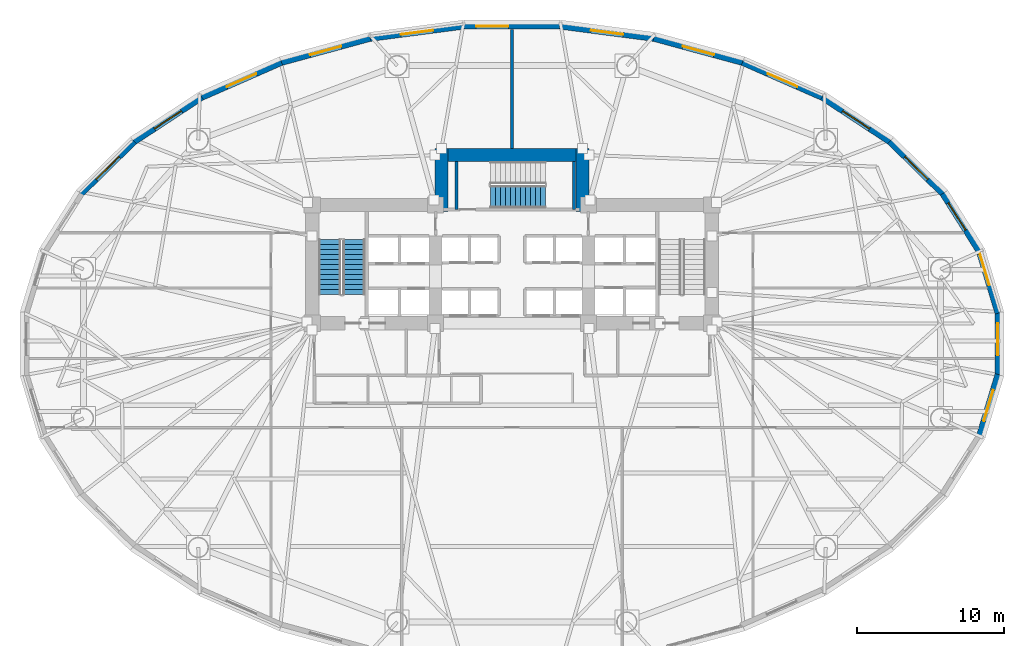
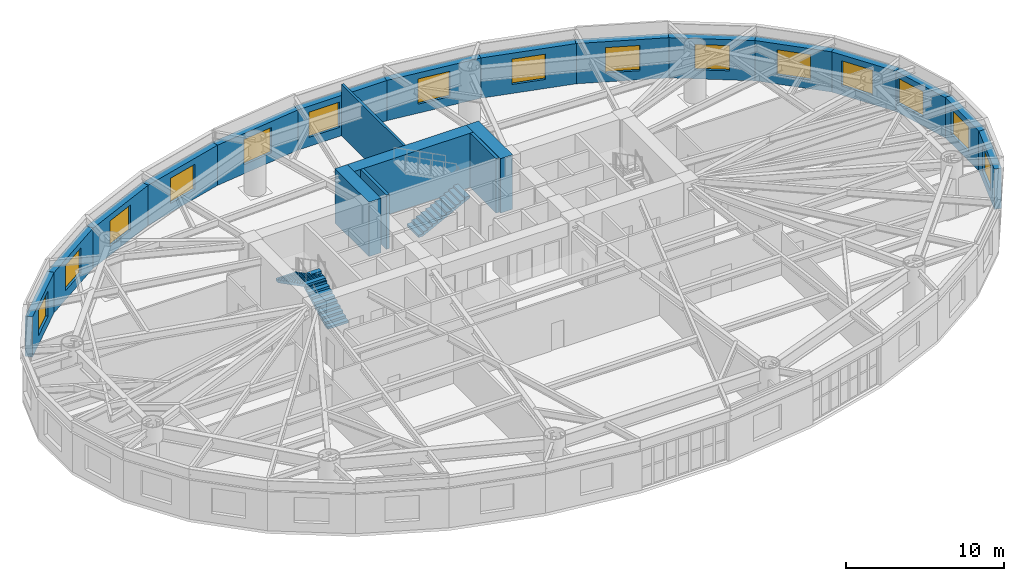
# One storey, part 12 of 18: 21 walls, 15 windows, 3 stair flights, 15 openings, 2 elements without a shape of their own.
"""IFC4 building model written with IfcOpenShell, lengths in metres."""

from ifc_helpers import new_model, si_unit, direction, frame, frame_2d, origin, place, context, subcontext, project, spatial, polyline, rectangle, outline, extrude, material, layer, layer_set, type_object, element, fill, aggregate, save


model = new_model("IFC4")

# Units and contexts
model_context = context("Model", 3, precision=1e-05, world=origin(), true_north=direction((0.0, 1.0)))
body_context = subcontext(model_context, "Body", "Model", "MODEL_VIEW")
ifc_project = project(units=[si_unit("LENGTHUNIT", "METRE"), si_unit("AREAUNIT", "SQUARE_METRE"), si_unit("VOLUMEUNIT", "CUBIC_METRE"), si_unit("PLANEANGLEUNIT", "RADIAN"), si_unit("MASSUNIT", "GRAM", prefix="KILO")], contexts=[model_context])

# Site, building, storey
site_placement = place(None, origin())
site = spatial("IfcSite", under=ifc_project, at=site_placement, CompositionType="ELEMENT")
building_placement = place(site_placement, origin())
building = spatial("IfcBuilding", under=site, at=building_placement, Name="Keldmark Tower", CompositionType="ELEMENT")
storey_placement = place(building_placement, frame((0.0, 0.0, 6.0)))
storey = spatial("IfcBuildingStorey", under=building, at=storey_placement, Name="L01", CompositionType="ELEMENT", Elevation=6.0)

# Walls
ifc_material_1 = material(Name="STC-58 Insulated Tenant Demising Gypsum Partition", Category="gypsum")
ifc_layer_1 = layer(ifc_material_1, 0.175048828125)
ifc_layer_set_1 = layer_set([ifc_layer_1], Name="STC-58 Insulated Tenant Demising Gypsum Partition")
wall_type_1 = type_object("IfcWallType", Name="Demising Suite Partition 175 mm", PredefinedType="PARTITIONING", material=ifc_layer_set_1)
wall_1_placement = place(storey_placement, frame((0.0, 13.300048828125, 0.0), z_axis=(0.0, 0.0, 1.0), x_axis=(0.0, 1.0, 0.0)))
element("IfcWall", 1, at=wall_1_placement, inside=storey, type_object=wall_type_1, Name="L01 Demising Suite Partition 175 mm N-MID-DIV", PredefinedType="PARTITIONING", context=body_context, shape_type="SweptSolid", body=[
    extrude(rectangle(XDim=8.10595703125, YDim=0.175048828125, at=frame_2d((4.052978515625, 0.0))), origin(), (0.0, 0.0, 1.0), 3.97998046875),
])
ifc_material_2 = material(Name="Concrete C70/85", Category="concrete")
ifc_layer_2 = layer(ifc_material_2, 0.89990234375)
ifc_layer_set_2 = layer_set([ifc_layer_2], Name="Concrete C70/85")
wall_type_2 = type_object("IfcWallType", Name="Lower Core Shear Wall 900 mm", PredefinedType="SHEAR", material=ifc_layer_set_2)
wall_2_placement = place(storey_placement, frame((-5.25, 12.85009765625, 0.0), z_axis=(0.0, 0.0, 1.0), x_axis=(1.0, 0.0, 0.0)))
element("IfcWall", 2, at=wall_2_placement, inside=storey, type_object=wall_type_2, Name="L01 North Core Shear Wall", PredefinedType="SHEAR", context=body_context, shape_type="SweptSolid", body=[
    extrude(rectangle(XDim=10.5, YDim=0.89990234375, at=frame_2d((5.25, 0.0))), origin(), (0.0, 0.0, 1.0), 4.199951171875),
])
for number, where, z_axis, x_axis, name in (
    (3, (-4.800048828125, 9.0, 0.0), (0.0, 0.0, 1.0), (0.0, 1.0, 0.0), "L01 North Core West Shear Wall"),
    (4, (4.800048828125, 9.0, 0.0), (0.0, 0.0, 1.0), (0.0, 1.0, 0.0), "L01 North Core East Shear Wall"),
):
    element("IfcWall", number, at=place(storey_placement, frame(where, z_axis=z_axis, x_axis=x_axis)), inside=storey, type_object=wall_type_2, Name=name, PredefinedType="SHEAR", context=body_context, shape_type="SweptSolid", body=[
        extrude(rectangle(XDim=4.300048828125, YDim=0.89990234375, at=frame_2d((2.14990234375, 0.0))), origin(), (0.0, 0.0, 1.0), 4.199951171875),
    ])

# Wall, opening, window
ifc_material_3 = material(Name="Ironspot Manganese Brick and Kasota Buff Limestone Cavity Assembly", Category="masonry")
ifc_layer_3 = layer(ifc_material_3, 0.47998046875)
ifc_layer_set_3 = layer_set([ifc_layer_3], Name="Ironspot Manganese Brick and Kasota Buff Limestone Cavity Assembly")
wall_type_3 = type_object("IfcWallType", Name="Podium Brick and Limestone Cavity Wall 480 mm", PredefinedType="STANDARD", material=ifc_layer_set_3)
wall_3_placement = place(storey_placement, frame((31.827880859375, 6.316650390625, 0.0), z_axis=(0.0, 0.0, 1.0), x_axis=(0.289855603468, -0.957070388811, 0.0)))
wall_3 = element("IfcWall", 5, at=wall_3_placement, inside=storey, type_object=wall_type_3, Name="L01 Exterior Brick and Spandrel Wall 01", PredefinedType="STANDARD", context=body_context, shape_type="SweptSolid", body=[
    extrude(rectangle(XDim=4.41943359375, YDim=0.47998046875, at=frame_2d((2.209716796875, 0.0))), origin(), (0.0, 0.0, 1.0), 3.10888671875),
])
opening_1_placement = place(wall_3_placement, frame((0.199951171875, 0.0, 0.699951171875)))
opening_1 = element("IfcOpeningElement", 6, at=opening_1_placement, cuts=wall_3, Name="Opening W-01", PredefinedType="OPENING", context=body_context, shape_type="SweptSolid", body=[
    extrude(rectangle(XDim=2.199951171875, YDim=1.949951171875, at=frame_2d((1.10009765625, 0.97509765625))), frame((0.0, 0.25, 0.0), z_axis=(0.0, -1.0, 0.0), x_axis=(1.0, 0.0, 0.0)), (0.0, 0.0, 1.0), 0.5),
])
ifc_material_4 = material(Name="Thermally Broken Anodized Aluminum and Triple Low-E Argon Glazing", Category="aluminium")
window_type = type_object("IfcWindowType", Name="Podium Arched-Head Punched Window 2200x1950", PartitioningType="SINGLE_PANEL", PredefinedType="WINDOW", material=ifc_material_4)
window_1_placement = place(opening_1_placement, origin())
window_1 = element("IfcWindow", 7, at=window_1_placement, inside=storey, type_object=window_type, Name="L01 Deep-Set Window 01", OverallHeight=1.949951171875, OverallWidth=2.199951171875, PartitioningType="SINGLE_PANEL", PredefinedType="WINDOW", context=body_context, shape_type="SweptSolid", body=[
    extrude(rectangle(XDim=2.199951171875, YDim=1.949951171875, at=frame_2d((1.10009765625, 0.97509765625))), frame((0.0, -0.010009765625, 0.0), z_axis=(0.0, -1.0, 0.0), x_axis=(1.0, 0.0, 0.0)), (0.0, 0.0, 1.0), 0.06005859375),
])
fill(opening_1, window_1)

wall_4_placement = place(storey_placement, frame((29.34130859375, 10.24267578125, 0.0), z_axis=(0.0, 0.0, 1.0), x_axis=(0.53349762721, -0.845801561693, 0.0)))
wall_4 = element("IfcWall", 8, at=wall_4_placement, inside=storey, type_object=wall_type_3, Name="L01 Exterior Brick and Spandrel Wall 02", PredefinedType="STANDARD", context=body_context, shape_type="SweptSolid", body=[
    extrude(rectangle(XDim=4.710693359375, YDim=0.47998046875, at=frame_2d((2.35546875, 0.0))), origin(), (0.0, 0.0, 1.0), 3.10888671875),
])
opening_2_placement = place(wall_4_placement, frame((0.739990234375, 0.0, 0.699951171875)))
opening_2 = element("IfcOpeningElement", 9, at=opening_2_placement, cuts=wall_4, Name="Opening W-01", PredefinedType="OPENING", context=body_context, shape_type="SweptSolid", body=[
    extrude(rectangle(XDim=2.199951171875, YDim=1.949951171875, at=frame_2d((1.10009765625, 0.97509765625))), frame((0.0, 0.25, 0.0), z_axis=(0.0, -1.0, 0.0), x_axis=(1.0, 0.0, 0.0)), (0.0, 0.0, 1.0), 0.5),
])
window_2_placement = place(opening_2_placement, origin())
window_2 = element("IfcWindow", 10, at=window_2_placement, inside=storey, type_object=window_type, Name="L01 Deep-Set Window 02", OverallHeight=1.949951171875, OverallWidth=2.199951171875, PartitioningType="SINGLE_PANEL", PredefinedType="WINDOW", context=body_context, shape_type="SweptSolid", body=[
    extrude(rectangle(XDim=2.199951171875, YDim=1.949951171875, at=frame_2d((1.10009765625, 0.97509765625))), frame((0.0, -0.010009765625, 0.0), z_axis=(0.0, -1.0, 0.0), x_axis=(1.0, 0.0, 0.0)), (0.0, 0.0, 1.0), 0.06005859375),
])
fill(opening_2, window_2)

wall_5_placement = place(storey_placement, frame((25.727783203125, 13.785400390625, 0.0), z_axis=(0.0, 0.0, 1.0), x_axis=(0.713189080178, -0.700971708355, 0.0)))
wall_5 = element("IfcWall", 11, at=wall_5_placement, inside=storey, type_object=wall_type_3, Name="L01 Exterior Brick and Spandrel Wall 03", PredefinedType="STANDARD", context=body_context, shape_type="SweptSolid", body=[
    extrude(rectangle(XDim=5.11572265625, YDim=0.47998046875, at=frame_2d((2.557861328125, 0.0))), origin(), (0.0, 0.0, 1.0), 3.10888671875),
])
opening_3_placement = place(wall_5_placement, frame((1.4580078125, 0.0, 0.699951171875)))
opening_3 = element("IfcOpeningElement", 12, at=opening_3_placement, cuts=wall_5, Name="Opening W-01", PredefinedType="OPENING", context=body_context, shape_type="SweptSolid", body=[
    extrude(rectangle(XDim=2.199951171875, YDim=1.949951171875, at=frame_2d((1.10009765625, 0.97509765625))), frame((0.0, 0.25, 0.0), z_axis=(0.0, -1.0, 0.0), x_axis=(1.0, 0.0, 0.0)), (0.0, 0.0, 1.0), 0.5),
])
window_3_placement = place(opening_3_placement, origin())
window_3 = element("IfcWindow", 13, at=window_3_placement, inside=storey, type_object=window_type, Name="L01 Deep-Set Window 03", OverallHeight=1.949951171875, OverallWidth=2.199951171875, PartitioningType="SINGLE_PANEL", PredefinedType="WINDOW", context=body_context, shape_type="SweptSolid", body=[
    extrude(rectangle(XDim=2.199951171875, YDim=1.949951171875, at=frame_2d((1.10009765625, 0.97509765625))), frame((0.0, -0.010009765625, 0.0), z_axis=(0.0, -1.0, 0.0), x_axis=(1.0, 0.0, 0.0)), (0.0, 0.0, 1.0), 0.06005859375),
])
fill(opening_3, window_3)

wall_6_placement = place(storey_placement, frame((21.12060546875, 16.8056640625, 0.0), z_axis=(0.0, 0.0, 1.0), x_axis=(0.835863918172, -0.548936708827, 0.0)))
wall_6 = element("IfcWall", 14, at=wall_6_placement, inside=storey, type_object=wall_type_3, Name="L01 Exterior Brick and Spandrel Wall 04", PredefinedType="STANDARD", context=body_context, shape_type="SweptSolid", body=[
    extrude(rectangle(XDim=5.555419921875, YDim=0.47998046875, at=frame_2d((2.77783203125, 0.0))), origin(), (0.0, 0.0, 1.0), 3.10888671875),
])
opening_4_placement = place(wall_6_placement, frame((1.677734375, 0.0, 0.699951171875)))
opening_4 = element("IfcOpeningElement", 15, at=opening_4_placement, cuts=wall_6, Name="Opening W-01", PredefinedType="OPENING", context=body_context, shape_type="SweptSolid", body=[
    extrude(rectangle(XDim=2.199951171875, YDim=1.949951171875, at=frame_2d((1.10009765625, 0.97509765625))), frame((0.0, 0.25, 0.0), z_axis=(0.0, -1.0, 0.0), x_axis=(1.0, 0.0, 0.0)), (0.0, 0.0, 1.0), 0.5),
])
window_4_placement = place(opening_4_placement, origin())
window_4 = element("IfcWindow", 16, at=window_4_placement, inside=storey, type_object=window_type, Name="L01 Deep-Set Window 04", OverallHeight=1.949951171875, OverallWidth=2.199951171875, PartitioningType="SINGLE_PANEL", PredefinedType="WINDOW", context=body_context, shape_type="SweptSolid", body=[
    extrude(rectangle(XDim=2.199951171875, YDim=1.949951171875, at=frame_2d((1.10009765625, 0.97509765625))), frame((0.0, -0.010009765625, 0.0), z_axis=(0.0, -1.0, 0.0), x_axis=(1.0, 0.0, 0.0)), (0.0, 0.0, 1.0), 0.06005859375),
])
fill(opening_4, window_4)

wall_7_placement = place(storey_placement, frame((15.6953125, 19.1826171875, 0.0), z_axis=(0.0, 0.0, 1.0), x_axis=(0.91570760638, -0.401845218484, 0.0)))
wall_7 = element("IfcWall", 17, at=wall_7_placement, inside=storey, type_object=wall_type_3, Name="L01 Exterior Brick and Spandrel Wall 05", PredefinedType="STANDARD", context=body_context, shape_type="SweptSolid", body=[
    extrude(rectangle(XDim=5.963134765625, YDim=0.47998046875, at=frame_2d((2.9814453125, 0.0))), origin(), (0.0, 0.0, 1.0), 3.10888671875),
])
opening_5_placement = place(wall_7_placement, frame((1.881591796875, 0.0, 0.699951171875)))
opening_5 = element("IfcOpeningElement", 18, at=opening_5_placement, cuts=wall_7, Name="Opening W-01", PredefinedType="OPENING", context=body_context, shape_type="SweptSolid", body=[
    extrude(rectangle(XDim=2.199951171875, YDim=1.949951171875, at=frame_2d((1.10009765625, 0.97509765625))), frame((0.0, 0.25, 0.0), z_axis=(0.0, -1.0, 0.0), x_axis=(1.0, 0.0, 0.0)), (0.0, 0.0, 1.0), 0.5),
])
window_5_placement = place(opening_5_placement, origin())
window_5 = element("IfcWindow", 19, at=window_5_placement, inside=storey, type_object=window_type, Name="L01 Deep-Set Window 05", OverallHeight=1.949951171875, OverallWidth=2.199951171875, PartitioningType="SINGLE_PANEL", PredefinedType="WINDOW", context=body_context, shape_type="SweptSolid", body=[
    extrude(rectangle(XDim=2.199951171875, YDim=1.949951171875, at=frame_2d((1.10009765625, 0.97509765625))), frame((0.0, -0.010009765625, 0.0), z_axis=(0.0, -1.0, 0.0), x_axis=(1.0, 0.0, 0.0)), (0.0, 0.0, 1.0), 0.06005859375),
])
fill(opening_5, window_5)

wall_8_placement = place(storey_placement, frame((9.66162109375, 20.821044921875, 0.0), z_axis=(0.0, 0.0, 1.0), x_axis=(0.964936550718, -0.262483243445, 0.0)))
wall_8 = element("IfcWall", 20, at=wall_8_placement, inside=storey, type_object=wall_type_3, Name="L01 Exterior Brick and Spandrel Wall 06", PredefinedType="STANDARD", context=body_context, shape_type="SweptSolid", body=[
    extrude(rectangle(XDim=6.28759765625, YDim=0.47998046875, at=frame_2d((3.143798828125, 0.0))), origin(), (0.0, 0.0, 1.0), 3.10888671875),
])
opening_6_placement = place(wall_8_placement, frame((2.0439453125, 0.0, 0.699951171875)))
opening_6 = element("IfcOpeningElement", 21, at=opening_6_placement, cuts=wall_8, Name="Opening W-01", PredefinedType="OPENING", context=body_context, shape_type="SweptSolid", body=[
    extrude(rectangle(XDim=2.199951171875, YDim=1.949951171875, at=frame_2d((1.10009765625, 0.97509765625))), frame((0.0, 0.25, 0.0), z_axis=(0.0, -1.0, 0.0), x_axis=(1.0, 0.0, 0.0)), (0.0, 0.0, 1.0), 0.5),
])
window_6_placement = place(opening_6_placement, origin())
window_6 = element("IfcWindow", 22, at=window_6_placement, inside=storey, type_object=window_type, Name="L01 Deep-Set Window 06", OverallHeight=1.949951171875, OverallWidth=2.199951171875, PartitioningType="SINGLE_PANEL", PredefinedType="WINDOW", context=body_context, shape_type="SweptSolid", body=[
    extrude(rectangle(XDim=2.199951171875, YDim=1.949951171875, at=frame_2d((1.10009765625, 0.97509765625))), frame((0.0, -0.010009765625, 0.0), z_axis=(0.0, -1.0, 0.0), x_axis=(1.0, 0.0, 0.0)), (0.0, 0.0, 1.0), 0.06005859375),
])
fill(opening_6, window_6)

wall_9_placement = place(storey_placement, frame((3.25244140625, 21.656005859375, 0.0), z_axis=(0.0, 0.0, 1.0), x_axis=(0.991576921472, -0.129519144545, 0.0)))
wall_9 = element("IfcWall", 23, at=wall_9_placement, inside=storey, type_object=wall_type_3, Name="L01 Exterior Brick and Spandrel Wall 07", PredefinedType="STANDARD", context=body_context, shape_type="SweptSolid", body=[
    extrude(rectangle(XDim=6.49560546875, YDim=0.47998046875, at=frame_2d((3.247802734375, 0.0))), origin(), (0.0, 0.0, 1.0), 3.10888671875),
])
opening_7_placement = place(wall_9_placement, frame((2.147705078125, 0.0, 0.699951171875)))
opening_7 = element("IfcOpeningElement", 24, at=opening_7_placement, cuts=wall_9, Name="Opening W-01", PredefinedType="OPENING", context=body_context, shape_type="SweptSolid", body=[
    extrude(rectangle(XDim=2.199951171875, YDim=1.949951171875, at=frame_2d((1.10009765625, 0.97509765625))), frame((0.0, 0.25, 0.0), z_axis=(0.0, -1.0, 0.0), x_axis=(1.0, 0.0, 0.0)), (0.0, 0.0, 1.0), 0.5),
])
window_7_placement = place(opening_7_placement, origin())
window_7 = element("IfcWindow", 25, at=window_7_placement, inside=storey, type_object=window_type, Name="L01 Deep-Set Window 07", OverallHeight=1.949951171875, OverallWidth=2.199951171875, PartitioningType="SINGLE_PANEL", PredefinedType="WINDOW", context=body_context, shape_type="SweptSolid", body=[
    extrude(rectangle(XDim=2.199951171875, YDim=1.949951171875, at=frame_2d((1.10009765625, 0.97509765625))), frame((0.0, -0.010009765625, 0.0), z_axis=(0.0, -1.0, 0.0), x_axis=(1.0, 0.0, 0.0)), (0.0, 0.0, 1.0), 0.06005859375),
])
fill(opening_7, window_7)

wall_10_placement = place(storey_placement, frame((-3.28369140625, 21.654052734375, 0.0), z_axis=(0.0, 0.0, 1.0), x_axis=(1.0, 0.0, 0.0)))
wall_10 = element("IfcWall", 26, at=wall_10_placement, inside=storey, type_object=wall_type_3, Name="L01 Exterior Brick and Spandrel Wall 08", PredefinedType="STANDARD", context=body_context, shape_type="SweptSolid", body=[
    extrude(rectangle(XDim=6.5673828125, YDim=0.47998046875, at=frame_2d((3.28369140625, 0.0))), origin(), (0.0, 0.0, 1.0), 3.10888671875),
])
opening_8_placement = place(wall_10_placement, frame((0.8447265625, 0.0, 0.699951171875)))
opening_8 = element("IfcOpeningElement", 27, at=opening_8_placement, cuts=wall_10, Name="Opening W-01", PredefinedType="OPENING", context=body_context, shape_type="SweptSolid", body=[
    extrude(rectangle(XDim=2.199951171875, YDim=1.949951171875, at=frame_2d((1.10009765625, 0.97509765625))), frame((0.0, 0.25, 0.0), z_axis=(0.0, -1.0, 0.0), x_axis=(1.0, 0.0, 0.0)), (0.0, 0.0, 1.0), 0.5),
])
window_8_placement = place(opening_8_placement, origin())
window_8 = element("IfcWindow", 28, at=window_8_placement, inside=storey, type_object=window_type, Name="L01 Deep-Set Window 08", OverallHeight=1.949951171875, OverallWidth=2.199951171875, PartitioningType="SINGLE_PANEL", PredefinedType="WINDOW", context=body_context, shape_type="SweptSolid", body=[
    extrude(rectangle(XDim=2.199951171875, YDim=1.949951171875, at=frame_2d((1.10009765625, 0.97509765625))), frame((0.0, -0.010009765625, 0.0), z_axis=(0.0, -1.0, 0.0), x_axis=(1.0, 0.0, 0.0)), (0.0, 0.0, 1.0), 0.06005859375),
])
fill(opening_8, window_8)

wall_11_placement = place(storey_placement, frame((-9.693359375, 20.814697265625, 0.0), z_axis=(0.0, 0.0, 1.0), x_axis=(0.991576921472, 0.129519144545, 0.0)))
wall_11 = element("IfcWall", 29, at=wall_11_placement, inside=storey, type_object=wall_type_3, Name="L01 Exterior Brick and Spandrel Wall 09", PredefinedType="STANDARD", context=body_context, shape_type="SweptSolid", body=[
    extrude(rectangle(XDim=6.49560546875, YDim=0.47998046875, at=frame_2d((3.247802734375, 0.0))), origin(), (0.0, 0.0, 1.0), 3.10888671875),
])
opening_9_placement = place(wall_11_placement, frame((2.147705078125, 0.0, 0.699951171875)))
opening_9 = element("IfcOpeningElement", 30, at=opening_9_placement, cuts=wall_11, Name="Opening W-01", PredefinedType="OPENING", context=body_context, shape_type="SweptSolid", body=[
    extrude(rectangle(XDim=2.199951171875, YDim=1.949951171875, at=frame_2d((1.10009765625, 0.97509765625))), frame((0.0, 0.25, 0.0), z_axis=(0.0, -1.0, 0.0), x_axis=(1.0, 0.0, 0.0)), (0.0, 0.0, 1.0), 0.5),
])
window_9_placement = place(opening_9_placement, origin())
window_9 = element("IfcWindow", 31, at=window_9_placement, inside=storey, type_object=window_type, Name="L01 Deep-Set Window 09", OverallHeight=1.949951171875, OverallWidth=2.199951171875, PartitioningType="SINGLE_PANEL", PredefinedType="WINDOW", context=body_context, shape_type="SweptSolid", body=[
    extrude(rectangle(XDim=2.199951171875, YDim=1.949951171875, at=frame_2d((1.10009765625, 0.97509765625))), frame((0.0, -0.010009765625, 0.0), z_axis=(0.0, -1.0, 0.0), x_axis=(1.0, 0.0, 0.0)), (0.0, 0.0, 1.0), 0.06005859375),
])
fill(opening_9, window_9)

wall_12_placement = place(storey_placement, frame((-15.728759765625, 19.170654296875, 0.0), z_axis=(0.0, 0.0, 1.0), x_axis=(0.964936550718, 0.262483243445, 0.0)))
wall_12 = element("IfcWall", 32, at=wall_12_placement, inside=storey, type_object=wall_type_3, Name="L01 Exterior Brick and Spandrel Wall 10", PredefinedType="STANDARD", context=body_context, shape_type="SweptSolid", body=[
    extrude(rectangle(XDim=6.28759765625, YDim=0.47998046875, at=frame_2d((3.143798828125, 0.0))), origin(), (0.0, 0.0, 1.0), 3.10888671875),
])
opening_10_placement = place(wall_12_placement, frame((2.0439453125, 0.0, 0.699951171875)))
opening_10 = element("IfcOpeningElement", 33, at=opening_10_placement, cuts=wall_12, Name="Opening W-01", PredefinedType="OPENING", context=body_context, shape_type="SweptSolid", body=[
    extrude(rectangle(XDim=2.199951171875, YDim=1.949951171875, at=frame_2d((1.10009765625, 0.97509765625))), frame((0.0, 0.25, 0.0), z_axis=(0.0, -1.0, 0.0), x_axis=(1.0, 0.0, 0.0)), (0.0, 0.0, 1.0), 0.5),
])
window_10_placement = place(opening_10_placement, origin())
window_10 = element("IfcWindow", 34, at=window_10_placement, inside=storey, type_object=window_type, Name="L01 Deep-Set Window 10", OverallHeight=1.949951171875, OverallWidth=2.199951171875, PartitioningType="SINGLE_PANEL", PredefinedType="WINDOW", context=body_context, shape_type="SweptSolid", body=[
    extrude(rectangle(XDim=2.199951171875, YDim=1.949951171875, at=frame_2d((1.10009765625, 0.97509765625))), frame((0.0, -0.010009765625, 0.0), z_axis=(0.0, -1.0, 0.0), x_axis=(1.0, 0.0, 0.0)), (0.0, 0.0, 1.0), 0.06005859375),
])
fill(opening_10, window_10)

wall_13_placement = place(storey_placement, frame((-21.15576171875, 16.786376953125, 0.0), z_axis=(0.0, 0.0, 1.0), x_axis=(0.91570760638, 0.401845218484, 0.0)))
wall_13 = element("IfcWall", 35, at=wall_13_placement, inside=storey, type_object=wall_type_3, Name="L01 Exterior Brick and Spandrel Wall 11", PredefinedType="STANDARD", context=body_context, shape_type="SweptSolid", body=[
    extrude(rectangle(XDim=5.963134765625, YDim=0.47998046875, at=frame_2d((2.9814453125, 0.0))), origin(), (0.0, 0.0, 1.0), 3.10888671875),
])
opening_11_placement = place(wall_13_placement, frame((1.881591796875, 0.0, 0.699951171875)))
opening_11 = element("IfcOpeningElement", 36, at=opening_11_placement, cuts=wall_13, Name="Opening W-01", PredefinedType="OPENING", context=body_context, shape_type="SweptSolid", body=[
    extrude(rectangle(XDim=2.199951171875, YDim=1.949951171875, at=frame_2d((1.10009765625, 0.97509765625))), frame((0.0, 0.25, 0.0), z_axis=(0.0, -1.0, 0.0), x_axis=(1.0, 0.0, 0.0)), (0.0, 0.0, 1.0), 0.5),
])
window_11_placement = place(opening_11_placement, origin())
window_11 = element("IfcWindow", 37, at=window_11_placement, inside=storey, type_object=window_type, Name="L01 Deep-Set Window 11", OverallHeight=1.949951171875, OverallWidth=2.199951171875, PartitioningType="SINGLE_PANEL", PredefinedType="WINDOW", context=body_context, shape_type="SweptSolid", body=[
    extrude(rectangle(XDim=2.199951171875, YDim=1.949951171875, at=frame_2d((1.10009765625, 0.97509765625))), frame((0.0, -0.010009765625, 0.0), z_axis=(0.0, -1.0, 0.0), x_axis=(1.0, 0.0, 0.0)), (0.0, 0.0, 1.0), 0.06005859375),
])
fill(opening_11, window_11)

wall_14_placement = place(storey_placement, frame((-25.76416015625, 13.756103515625, 0.0), z_axis=(0.0, 0.0, 1.0), x_axis=(0.835863918172, 0.548936708827, 0.0)))
wall_14 = element("IfcWall", 38, at=wall_14_placement, inside=storey, type_object=wall_type_3, Name="L01 Exterior Brick and Spandrel Wall 12", PredefinedType="STANDARD", context=body_context, shape_type="SweptSolid", body=[
    extrude(rectangle(XDim=5.555419921875, YDim=0.47998046875, at=frame_2d((2.77783203125, 0.0))), origin(), (0.0, 0.0, 1.0), 3.10888671875),
])
opening_12_placement = place(wall_14_placement, frame((1.677734375, 0.0, 0.699951171875)))
opening_12 = element("IfcOpeningElement", 39, at=opening_12_placement, cuts=wall_14, Name="Opening W-01", PredefinedType="OPENING", context=body_context, shape_type="SweptSolid", body=[
    extrude(rectangle(XDim=2.199951171875, YDim=1.949951171875, at=frame_2d((1.10009765625, 0.97509765625))), frame((0.0, 0.25, 0.0), z_axis=(0.0, -1.0, 0.0), x_axis=(1.0, 0.0, 0.0)), (0.0, 0.0, 1.0), 0.5),
])
window_12_placement = place(opening_12_placement, origin())
window_12 = element("IfcWindow", 40, at=window_12_placement, inside=storey, type_object=window_type, Name="L01 Deep-Set Window 12", OverallHeight=1.949951171875, OverallWidth=2.199951171875, PartitioningType="SINGLE_PANEL", PredefinedType="WINDOW", context=body_context, shape_type="SweptSolid", body=[
    extrude(rectangle(XDim=2.199951171875, YDim=1.949951171875, at=frame_2d((1.10009765625, 0.97509765625))), frame((0.0, -0.010009765625, 0.0), z_axis=(0.0, -1.0, 0.0), x_axis=(1.0, 0.0, 0.0)), (0.0, 0.0, 1.0), 0.06005859375),
])
fill(opening_12, window_12)

wall_15_placement = place(storey_placement, frame((-29.376220703125, 10.199462890625, 0.0), z_axis=(0.0, 0.0, 1.0), x_axis=(0.713189080178, 0.700971708355, 0.0)))
wall_15 = element("IfcWall", 41, at=wall_15_placement, inside=storey, type_object=wall_type_3, Name="L01 Exterior Brick and Spandrel Wall 13", PredefinedType="STANDARD", context=body_context, shape_type="SweptSolid", body=[
    extrude(rectangle(XDim=5.11572265625, YDim=0.47998046875, at=frame_2d((2.557861328125, 0.0))), origin(), (0.0, 0.0, 1.0), 3.10888671875),
])
opening_13_placement = place(wall_15_placement, frame((1.4580078125, 0.0, 0.699951171875)))
opening_13 = element("IfcOpeningElement", 42, at=opening_13_placement, cuts=wall_15, Name="Opening W-01", PredefinedType="OPENING", context=body_context, shape_type="SweptSolid", body=[
    extrude(rectangle(XDim=2.199951171875, YDim=1.949951171875, at=frame_2d((1.10009765625, 0.97509765625))), frame((0.0, 0.25, 0.0), z_axis=(0.0, -1.0, 0.0), x_axis=(1.0, 0.0, 0.0)), (0.0, 0.0, 1.0), 0.5),
])
window_13_placement = place(opening_13_placement, origin())
window_13 = element("IfcWindow", 43, at=window_13_placement, inside=storey, type_object=window_type, Name="L01 Deep-Set Window 13", OverallHeight=1.949951171875, OverallWidth=2.199951171875, PartitioningType="SINGLE_PANEL", PredefinedType="WINDOW", context=body_context, shape_type="SweptSolid", body=[
    extrude(rectangle(XDim=2.199951171875, YDim=1.949951171875, at=frame_2d((1.10009765625, 0.97509765625))), frame((0.0, -0.010009765625, 0.0), z_axis=(0.0, -1.0, 0.0), x_axis=(1.0, 0.0, 0.0)), (0.0, 0.0, 1.0), 0.06005859375),
])
fill(opening_13, window_13)

wall_16_placement = place(storey_placement, frame((33.10888671875, -2.0869140625, 0.0), z_axis=(0.0, 0.0, 1.0), x_axis=(-0.289855603468, -0.957070388811, 0.0)))
wall_16 = element("IfcWall", 44, at=wall_16_placement, inside=storey, type_object=wall_type_3, Name="L01 Exterior Brick and Spandrel Wall 31", PredefinedType="STANDARD", context=body_context, shape_type="SweptSolid", body=[
    extrude(rectangle(XDim=4.41943359375, YDim=0.47998046875, at=frame_2d((2.209716796875, 0.0))), origin(), (0.0, 0.0, 1.0), 3.10888671875),
])
opening_14_placement = place(wall_16_placement, frame((1.10986328125, 0.0, 0.699951171875)))
opening_14 = element("IfcOpeningElement", 45, at=opening_14_placement, cuts=wall_16, Name="Opening W-01", PredefinedType="OPENING", context=body_context, shape_type="SweptSolid", body=[
    extrude(rectangle(XDim=2.199951171875, YDim=1.949951171875, at=frame_2d((1.10009765625, 0.97509765625))), frame((0.0, 0.25, 0.0), z_axis=(0.0, -1.0, 0.0), x_axis=(1.0, 0.0, 0.0)), (0.0, 0.0, 1.0), 0.5),
])
window_14_placement = place(opening_14_placement, origin())
window_14 = element("IfcWindow", 46, at=window_14_placement, inside=storey, type_object=window_type, Name="L01 Deep-Set Window 31", OverallHeight=1.949951171875, OverallWidth=2.199951171875, PartitioningType="SINGLE_PANEL", PredefinedType="WINDOW", context=body_context, shape_type="SweptSolid", body=[
    extrude(rectangle(XDim=2.199951171875, YDim=1.949951171875, at=frame_2d((1.10009765625, 0.97509765625))), frame((0.0, -0.010009765625, 0.0), z_axis=(0.0, -1.0, 0.0), x_axis=(1.0, 0.0, 0.0)), (0.0, 0.0, 1.0), 0.06005859375),
])
fill(opening_14, window_14)

wall_17_placement = place(storey_placement, frame((33.0986328125, 2.156494140625, 0.0), z_axis=(0.0, 0.0, 1.0), x_axis=(0.0, -1.0, 0.0)))
wall_17 = element("IfcWall", 47, at=wall_17_placement, inside=storey, type_object=wall_type_3, Name="L01 Exterior Brick and Spandrel Wall 32", PredefinedType="STANDARD", context=body_context, shape_type="SweptSolid", body=[
    extrude(rectangle(XDim=4.31298828125, YDim=0.47998046875, at=frame_2d((2.156494140625, 0.0))), origin(), (0.0, 0.0, 1.0), 3.10888671875),
])
opening_15_placement = place(wall_17_placement, frame((0.73828125, 0.0, 0.699951171875)))
opening_15 = element("IfcOpeningElement", 48, at=opening_15_placement, cuts=wall_17, Name="Opening W-01", PredefinedType="OPENING", context=body_context, shape_type="SweptSolid", body=[
    extrude(rectangle(XDim=2.199951171875, YDim=1.949951171875, at=frame_2d((1.10009765625, 0.97509765625))), frame((0.0, 0.25, 0.0), z_axis=(0.0, -1.0, 0.0), x_axis=(1.0, 0.0, 0.0)), (0.0, 0.0, 1.0), 0.5),
])
window_15_placement = place(opening_15_placement, origin())
window_15 = element("IfcWindow", 49, at=window_15_placement, inside=storey, type_object=window_type, Name="L01 Deep-Set Window 32", OverallHeight=1.949951171875, OverallWidth=2.199951171875, PartitioningType="SINGLE_PANEL", PredefinedType="WINDOW", context=body_context, shape_type="SweptSolid", body=[
    extrude(rectangle(XDim=2.199951171875, YDim=1.949951171875, at=frame_2d((1.10009765625, 0.97509765625))), frame((0.0, -0.010009765625, 0.0), z_axis=(0.0, -1.0, 0.0), x_axis=(1.0, 0.0, 0.0)), (0.0, 0.0, 1.0), 0.06005859375),
])
fill(opening_15, window_15)

# Walls
ifc_material_5 = material(Name="Concrete C50/60", Category="concrete")
ifc_layer_4 = layer(ifc_material_5, 0.219970703125)
ifc_layer_set_4 = layer_set([ifc_layer_4], Name="Concrete C50/60")
wall_type_4 = type_object("IfcWallType", Name="Stair Core Shear Wall 220 mm", PredefinedType="SHEAR", material=ifc_layer_set_4)
for number, where, z_axis, x_axis, name in (
    (50, (-3.784912109375, 9.139892578125, 0.0), (0.0, 0.0, 1.0), (0.0, 1.0, 0.0), "L01 Central Stair Core West Shear Wall"),
    (51, (4.215087890625, 9.139892578125, 0.0), (0.0, 0.0, 1.0), (0.0, 1.0, 0.0), "L01 Central Stair Core East Shear Wall"),
):
    element("IfcWall", number, at=place(storey_placement, frame(where, z_axis=z_axis, x_axis=x_axis)), inside=storey, type_object=wall_type_4, Name=name, PredefinedType="SHEAR", context=body_context, shape_type="SweptSolid", body=[
        extrude(rectangle(XDim=3.260009765625, YDim=0.219970703125, at=frame_2d((1.6298828125, 0.0))), origin(), (0.0, 0.0, 1.0), 4.199951171875),
    ])

# Stair, stair flights
ifc_material_6 = material(Name="Concrete C40/50", Category="concrete")
stair_type = type_object("IfcStairType", Name="Precast Concrete Core Exit Stair", PredefinedType="HALF_TURN_STAIR", material=ifc_material_6)
stair_1_placement = place(storey_placement, origin())
stair_1 = element("IfcStair", 52, at=stair_1_placement, inside=storey, type_object=stair_type, Name="L01 Exit Stair ST1", PredefinedType="HALF_TURN_STAIR")
ifc_material_7 = material(Name="Concrete C40/50", Category="concrete")
stair_flight_type = type_object("IfcStairFlightType", Name="Precast Concrete Stair Flight 1500 mm", PredefinedType="STRAIGHT", material=ifc_material_7)
stair_flight_1_placement = place(storey_placement, frame((-10.75, 3.35009765625, 0.0), z_axis=(0.0, 0.0, 1.0), x_axis=(0.0, 1.0, 0.0)))
stair_flight_1 = element("IfcStairFlight", 53, at=stair_flight_1_placement, type_object=stair_flight_type, Name="ST1 flight 1", NumberOfRisers=12, NumberOfTreads=11, PredefinedType="STRAIGHT", RiserHeight=0.175, TreadLength=0.34, context=body_context, shape_type="SweptSolid", body=[
    extrude(outline(polyline([(0.0, 0.0), (0.0, 0.175048828125), (0.340087890625, 0.175048828125), (0.340087890625, 0.35009765625), (0.679931640625, 0.35009765625), (0.679931640625, 0.52490234375), (1.02001953125, 0.52490234375), (1.02001953125, 0.699951171875), (1.360107421875, 0.699951171875), (1.360107421875, 0.875), (1.699951171875, 0.875), (1.699951171875, 1.050048828125), (2.0400390625, 1.050048828125), (2.0400390625, 1.22509765625), (2.3798828125, 1.22509765625), (2.3798828125, 1.39990234375), (2.719970703125, 1.39990234375), (2.719970703125, 1.574951171875), (3.06005859375, 1.574951171875), (3.06005859375, 1.75), (3.39990234375, 1.75), (3.39990234375, 1.925048828125), (3.739990234375, 1.925048828125), (3.739990234375, 2.10009765625), (3.739990234375, 1.75634765625), (0.32763671875, 0.0), (0.0, 0.0)])), frame((0.0, 0.75, 0.0), z_axis=(0.0, -1.0, 0.0), x_axis=(1.0, 0.0, 0.0)), (0.0, 0.0, 1.0), 1.5),
])
stair_flight_2_placement = place(storey_placement, frame((-12.39990234375, 7.090087890625, 2.10009765625), z_axis=(0.0, 0.0, 1.0), x_axis=(0.0, -1.0, 0.0)))
stair_flight_2 = element("IfcStairFlight", 54, at=stair_flight_2_placement, type_object=stair_flight_type, Name="ST1 flight 2", NumberOfRisers=12, NumberOfTreads=11, PredefinedType="STRAIGHT", RiserHeight=0.175, TreadLength=0.34, context=body_context, shape_type="SweptSolid", body=[
    extrude(outline(polyline([(0.0, 0.0), (0.0, 0.175048828125), (0.340087890625, 0.175048828125), (0.340087890625, 0.35009765625), (0.679931640625, 0.35009765625), (0.679931640625, 0.52490234375), (1.02001953125, 0.52490234375), (1.02001953125, 0.699951171875), (1.360107421875, 0.699951171875), (1.360107421875, 0.875), (1.699951171875, 0.875), (1.699951171875, 1.050048828125), (2.0400390625, 1.050048828125), (2.0400390625, 1.22509765625), (2.3798828125, 1.22509765625), (2.3798828125, 1.39990234375), (2.719970703125, 1.39990234375), (2.719970703125, 1.574951171875), (3.06005859375, 1.574951171875), (3.06005859375, 1.75), (3.39990234375, 1.75), (3.39990234375, 1.925048828125), (3.739990234375, 1.925048828125), (3.739990234375, 2.10009765625), (3.739990234375, 1.75634765625), (0.32763671875, 0.0), (0.0, 0.0)])), frame((0.0, 0.75, 0.0), z_axis=(0.0, -1.0, 0.0), x_axis=(1.0, 0.0, 0.0)), (0.0, 0.0, 1.0), 1.5),
])
aggregate(stair_1, [stair_flight_1, stair_flight_2])

# Stair, stair flight
stair_2_placement = place(storey_placement, origin())
stair_2 = element("IfcStair", 55, at=stair_2_placement, inside=storey, type_object=stair_type, Name="L01 Exit Stair ST3", PredefinedType="HALF_TURN_STAIR")
stair_flight_3_placement = place(storey_placement, frame((-1.47509765625, 10.0, 0.0), z_axis=(0.0, 0.0, 1.0), x_axis=(1.0, 0.0, 0.0)))
stair_flight_3 = element("IfcStairFlight", 56, at=stair_flight_3_placement, type_object=stair_flight_type, Name="ST3 flight 1", NumberOfRisers=12, NumberOfTreads=11, PredefinedType="STRAIGHT", RiserHeight=0.175, TreadLength=0.34, context=body_context, shape_type="SweptSolid", body=[
    extrude(outline(polyline([(0.0, 0.0), (0.0, 0.175048828125), (0.340087890625, 0.175048828125), (0.340087890625, 0.35009765625), (0.679931640625, 0.35009765625), (0.679931640625, 0.52490234375), (1.02001953125, 0.52490234375), (1.02001953125, 0.699951171875), (1.360107421875, 0.699951171875), (1.360107421875, 0.875), (1.699951171875, 0.875), (1.699951171875, 1.050048828125), (2.0400390625, 1.050048828125), (2.0400390625, 1.22509765625), (2.3798828125, 1.22509765625), (2.3798828125, 1.39990234375), (2.719970703125, 1.39990234375), (2.719970703125, 1.574951171875), (3.06005859375, 1.574951171875), (3.06005859375, 1.75), (3.39990234375, 1.75), (3.39990234375, 1.925048828125), (3.739990234375, 1.925048828125), (3.739990234375, 2.10009765625), (3.739990234375, 1.75634765625), (0.32763671875, 0.0), (0.0, 0.0)])), frame((0.0, 0.75, 0.0), z_axis=(0.0, -1.0, 0.0), x_axis=(1.0, 0.0, 0.0)), (0.0, 0.0, 1.0), 1.5),
])
aggregate(stair_2, [stair_flight_3])

save(model, "model.ifc")
